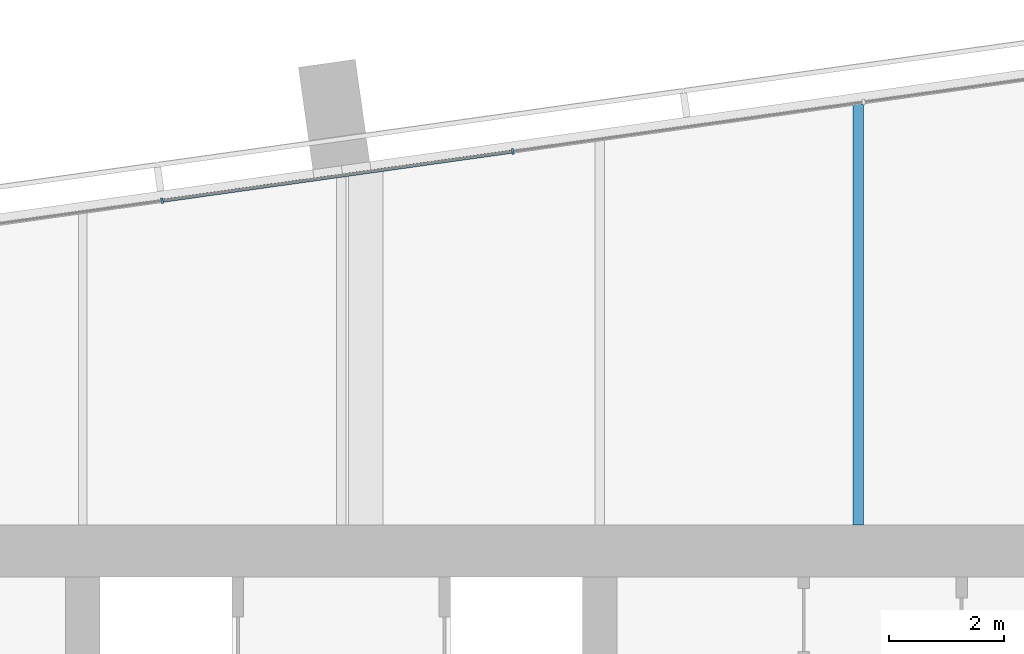
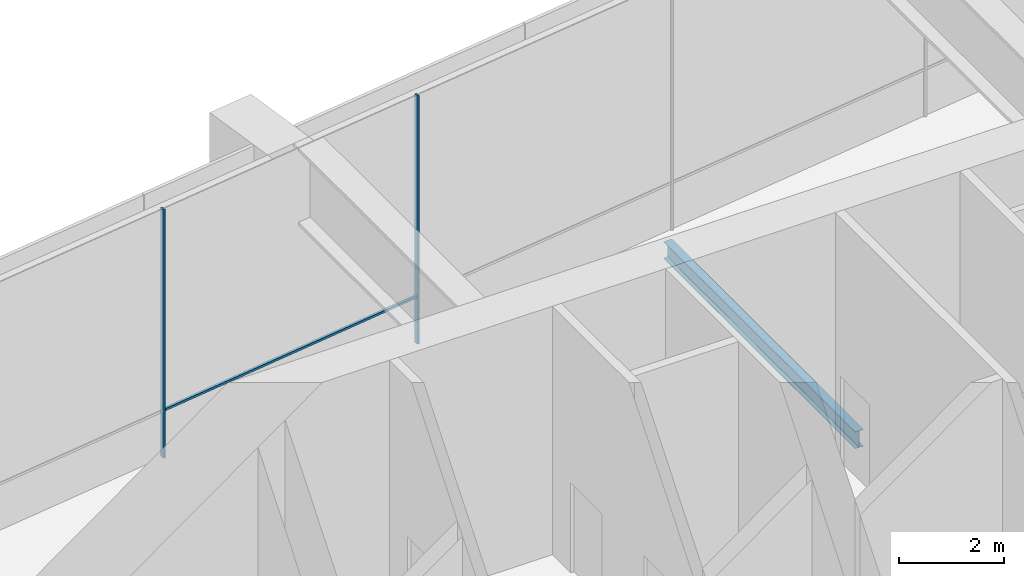
# One storey, part 13 of 25: 3 members, 1 beam, 1 element without a shape of its own.
"""IFC4 building model written with IfcOpenShell, lengths in metres."""

from ifc_helpers import new_model, si_unit, direction, frame, origin, origin_2d, place, context, subcontext, project, spatial, rectangle, i_section, extrude, material, layer, layer_set, material_profile, profile_set, type_object, element, aggregate, save


model = new_model("IFC4")

# Units and contexts
model_context = context("Model", 3, precision=1e-05, world=origin(), true_north=direction((0.0, 1.0)))
body_context = subcontext(model_context, "Body", "Model", "MODEL_VIEW")
ifc_project = project(units=[si_unit("LENGTHUNIT", "METRE"), si_unit("AREAUNIT", "SQUARE_METRE"), si_unit("VOLUMEUNIT", "CUBIC_METRE"), si_unit("PLANEANGLEUNIT", "RADIAN"), si_unit("MASSUNIT", "GRAM", prefix="KILO")], contexts=[model_context])

# Site, building, storey
site_placement = place(None, origin())
site = spatial("IfcSite", under=ifc_project, at=site_placement, CompositionType="ELEMENT")
building_placement = place(site_placement, origin())
building = spatial("IfcBuilding", under=site, at=building_placement, Name="Rattan Terrace Tower", CompositionType="ELEMENT")
storey_placement = place(building_placement, frame((0.0, 0.0, 286.300048828125)))
storey = spatial("IfcBuildingStorey", under=building, at=storey_placement, Name="L66", CompositionType="ELEMENT", Elevation=286.300048828125)

# Beam
ifc_material_1 = material(Name="Steel S355", Category="steel")
ifc_material_profile_1 = material_profile(ifc_material_1, i_section(OverallWidth=0.179931640625, OverallDepth=0.39990234375, WebThickness=0.008544921875, FlangeThickness=0.013427734375, FilletRadius=0.02099609375, at=origin_2d()), Name="IPE 400")
ifc_profile_set_1 = profile_set([ifc_material_profile_1], Name="Steel S355")
beam_type = type_object("IfcBeamType", Name="Frame floor beam IPE 400", PredefinedType="JOIST", material=ifc_profile_set_1)
beam_placement = place(storey_placement, frame((9.0, 7.5, -0.400146484375), z_axis=(0.0, 1.0, 0.0), x_axis=(-1.0, 0.0, 0.0)))
element("IfcBeam", 1, at=beam_placement, inside=storey, type_object=beam_type, Name="bm-L66-020", PredefinedType="JOIST", context=body_context, shape_type="SweptSolid", body=[
    extrude(i_section(OverallWidth=0.179931640625, OverallDepth=0.39990234375, WebThickness=0.008544921875, FlangeThickness=0.013427734375, FilletRadius=0.02099609375, at=origin_2d()), origin(), (0.0, 0.0, 1.0), 7.327880859375),
])

# Curtain wall, members
ifc_material_2 = material(Name="Aluminium and structural silicone glass", Category="aluminium")
ifc_layer = layer(ifc_material_2, 0.10009765625)
ifc_layer_set = layer_set([ifc_layer], Name="Observation Structural Silicone Curtain Wall")
curtain_wall_type = type_object("IfcCurtainWallType", Name="Observation Structural Silicone Curtain Wall", PredefinedType="NOTDEFINED", material=ifc_layer_set)
curtain_wall_placement = place(storey_placement, origin())
curtain_wall = element("IfcCurtainWall", 2, at=curtain_wall_placement, inside=storey, type_object=curtain_wall_type, Name="Observation curtain wall L66-12", PredefinedType="NOTDEFINED")
ifc_material_3 = material(Name="Aluminium", Category="aluminium")
ifc_material_profile_2 = material_profile(ifc_material_3, rectangle(XDim=0.0400390625, YDim=0.10009765625, at=origin_2d()), Name="Aluminium 40x100")
ifc_profile_set_2 = profile_set([ifc_material_profile_2], Name="Aluminium")
member_type_1 = type_object("IfcMemberType", Name="Observation CW Mullion 40x100", PredefinedType="MULLION", material=ifc_profile_set_2)
member_1_placement = place(storey_placement, frame((2.98779296875, 14.005126953125, 0.0), z_axis=(0.0, 0.0, 1.0), x_axis=(-0.990265894013, -0.139188574079, 0.0)))
member_1 = element("IfcMember", 3, at=member_1_placement, type_object=member_type_1, Name="Mullion cwl-L66-012.3", PredefinedType="MULLION", context=body_context, shape_type="SweptSolid", body=[
    extrude(rectangle(XDim=0.0400390625, YDim=0.10009765625, at=origin_2d()), origin(), (0.0, 0.0, 1.0), 5.800048828125),
])
member_2_placement = place(storey_placement, frame((-3.1181640625, 13.14697265625, 0.0), z_axis=(0.0, 0.0, 1.0), x_axis=(-0.990265894013, -0.139188574079, 0.0)))
member_2 = element("IfcMember", 4, at=member_2_placement, type_object=member_type_1, Name="Mullion cwl-L66-012.4", PredefinedType="MULLION", context=body_context, shape_type="SweptSolid", body=[
    extrude(rectangle(XDim=0.0400390625, YDim=0.10009765625, at=origin_2d()), origin(), (0.0, 0.0, 1.0), 5.800048828125),
])
ifc_material_4 = material(Name="Aluminium", Category="aluminium")
ifc_material_profile_3 = material_profile(ifc_material_4, rectangle(XDim=0.06005859375, YDim=0.050048828125, at=origin_2d()), Name="Aluminium 60x50")
ifc_profile_set_3 = profile_set([ifc_material_profile_3], Name="Aluminium")
member_type_2 = type_object("IfcMemberType", Name="Observation CW Transom 60x50", PredefinedType="USERDEFINED", material=ifc_profile_set_3)
member_3_placement = place(storey_placement, frame((2.968017578125, 14.00244140625, 1.099853515625), z_axis=(-0.990263447168, -0.139205981204, 0.0), x_axis=(0.139205981204, -0.990263447168, 0.0)))
member_3 = element("IfcMember", 5, at=member_3_placement, type_object=member_type_2, Name="Transom cwl-L66-012.3", ObjectType="TRANSOM", PredefinedType="USERDEFINED", context=body_context, shape_type="SweptSolid", body=[
    extrude(rectangle(XDim=0.06005859375, YDim=0.050048828125, at=origin_2d()), origin(), (0.0, 0.0, 1.0), 6.1259765625),
])
aggregate(curtain_wall, [member_1, member_2, member_3])

save(model, "model.ifc")
